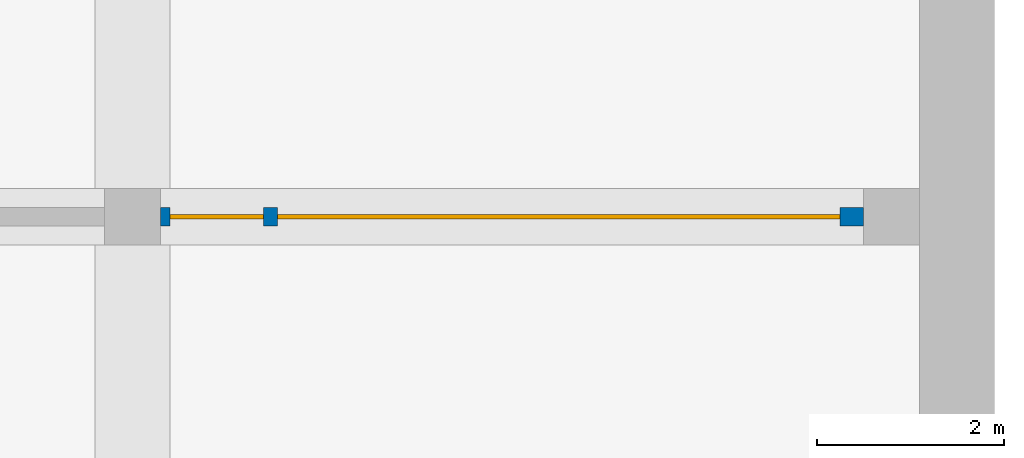
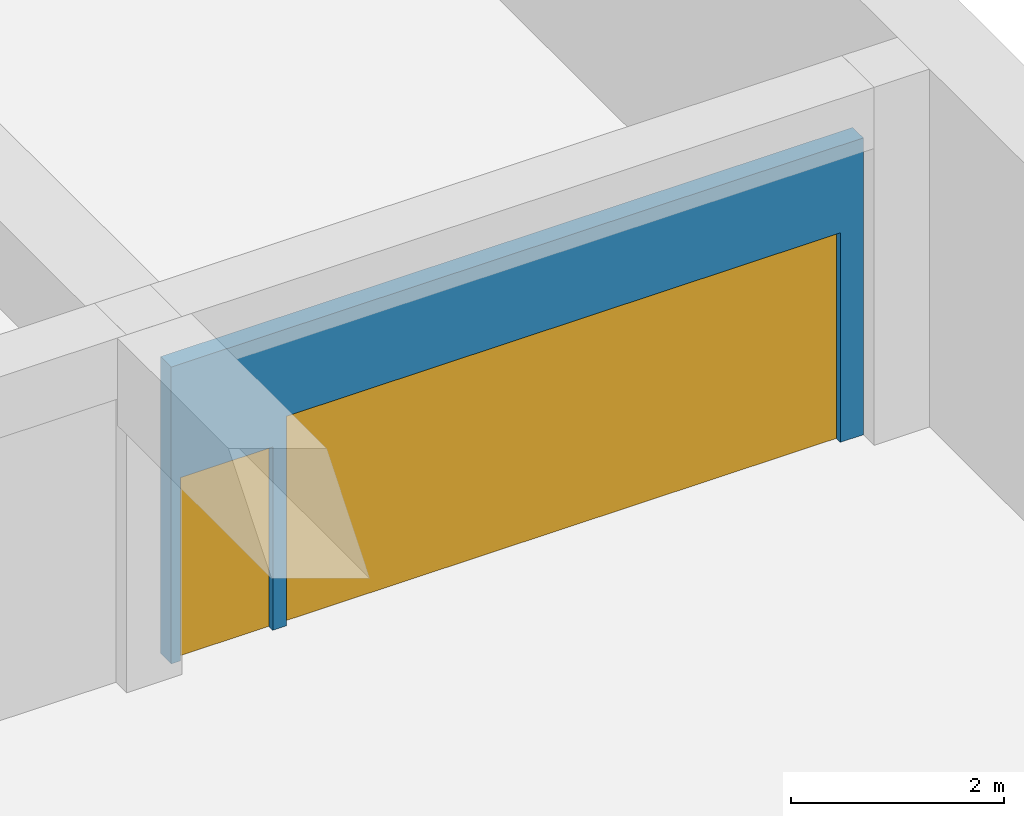
# One storey, part 6 of 21: 2 doors, 1 wall, 2 openings.
"""IFC4 building model written with IfcOpenShell, lengths in metres."""

from ifc_helpers import new_model, si_unit, direction, frame, frame_2d, origin, place, context, subcontext, project, spatial, rectangle, extrude, material, layer, layer_set, type_object, element, fill, save


model = new_model("IFC4")

# Units and contexts
model_context = context("Model", 3, precision=1e-05, world=origin(), true_north=direction((0.0, 1.0)))
body_context = subcontext(model_context, "Body", "Model", "MODEL_VIEW")
ifc_project = project(units=[si_unit("LENGTHUNIT", "METRE"), si_unit("AREAUNIT", "SQUARE_METRE"), si_unit("VOLUMEUNIT", "CUBIC_METRE"), si_unit("PLANEANGLEUNIT", "RADIAN"), si_unit("MASSUNIT", "GRAM", prefix="KILO")], contexts=[model_context])

# Site, building, storey
site_placement = place(None, origin())
site = spatial("IfcSite", under=ifc_project, at=site_placement, CompositionType="ELEMENT")
building_placement = place(site_placement, origin())
building = spatial("IfcBuilding", under=site, at=building_placement, Name="Stone Belt Terrace Tower", CompositionType="ELEMENT")
storey_placement = place(building_placement, frame((0.0, 0.0, -9.0)))
storey = spatial("IfcBuildingStorey", under=building, at=storey_placement, Name="B2", CompositionType="ELEMENT", Elevation=-9.0)

# Wall, openings, doors
ifc_material_1 = material(Name="Concrete B30", Category="concrete")
ifc_layer = layer(ifc_material_1, 0.199951171875)
ifc_layer_set = layer_set([ifc_layer], Name="Compartment wall 200")
wall_type = type_object("IfcWallType", Name="Compartment wall 200", PredefinedType="SOLIDWALL", material=ifc_layer_set)
wall_placement = place(storey_placement, frame((24.60009765625, -18.0, 0.0), z_axis=(0.0, 0.0, 1.0), x_axis=(1.0, 0.0, 0.0)))
wall = element("IfcWall", 1, at=wall_placement, inside=storey, type_object=wall_type, Name="Compartment wall B2 8", PredefinedType="SOLIDWALL", context=body_context, shape_type="SweptSolid", body=[
    extrude(rectangle(XDim=7.5, YDim=0.199951171875, at=frame_2d((3.75, 0.0))), origin(), (0.0, 0.0, 1.0), 3.39990234375),
])
opening_1_placement = place(wall_placement, frame((1.25, 0.0, 0.0)))
opening_1 = element("IfcOpeningElement", 2, at=opening_1_placement, cuts=wall, Name="Opening B2-S03", PredefinedType="OPENING", context=body_context, shape_type="SweptSolid", body=[
    extrude(rectangle(XDim=6.0, YDim=2.39990234375, at=frame_2d((3.0, 1.199951171875))), frame((0.0, 0.10986328125, 0.0), z_axis=(0.0, -1.0, 0.0), x_axis=(1.0, 0.0, 0.0)), (0.0, 0.0, 1.0), 0.219970703125),
])
opening_2_placement = place(wall_placement, frame((0.10009765625, 0.0, 0.0)))
opening_2 = element("IfcOpeningElement", 3, at=opening_2_placement, cuts=wall, Name="Opening B2-S04", PredefinedType="OPENING", context=body_context, shape_type="SweptSolid", body=[
    extrude(rectangle(XDim=1.0, YDim=2.10009765625, at=frame_2d((0.5, 1.050048828125))), frame((0.0, 0.10986328125, 0.0), z_axis=(0.0, -1.0, 0.0), x_axis=(1.0, 0.0, 0.0)), (0.0, 0.0, 1.0), 0.219970703125),
])
ifc_material_2 = material(Name="Steel door leaf", Category="steel")
door_type_1 = type_object("IfcDoorType", Name="Compartment fire door 1000", OperationType="NOTDEFINED", PredefinedType="DOOR", material=ifc_material_2)
door_1_placement = place(opening_2_placement, origin())
door_1 = element("IfcDoor", 4, at=door_1_placement, inside=storey, type_object=door_type_1, Name="Compartment fire door B2 east", OperationType="SINGLE_SWING_RIGHT", OverallHeight=2.10009765625, OverallWidth=1.0, PredefinedType="DOOR", context=body_context, shape_type="SweptSolid", body=[
    extrude(rectangle(XDim=1.0, YDim=2.10009765625, at=frame_2d((0.5, 1.050048828125))), frame((0.0, 0.02490234375, 0.0), z_axis=(0.0, -1.0, 0.0), x_axis=(1.0, 0.0, 0.0)), (0.0, 0.0, 1.0), 0.050048828125),
])
fill(opening_2, door_1)
ifc_material_3 = material(Name="Steel fire shutter", Category="steel")
door_type_2 = type_object("IfcDoorType", Name="Compartment shutter 6000", OperationType="ROLLINGUP", PredefinedType="DOOR", material=ifc_material_3)
door_2_placement = place(opening_1_placement, origin())
door_2 = element("IfcDoor", 5, at=door_2_placement, inside=storey, type_object=door_type_2, Name="Compartment shutter B2 east", OperationType="ROLLINGUP", OverallHeight=2.39990234375, OverallWidth=6.0, PredefinedType="DOOR", context=body_context, shape_type="SweptSolid", body=[
    extrude(rectangle(XDim=6.0, YDim=2.39990234375, at=frame_2d((3.0, 1.199951171875))), frame((0.0, 0.02490234375, 0.0), z_axis=(0.0, -1.0, 0.0), x_axis=(1.0, 0.0, 0.0)), (0.0, 0.0, 1.0), 0.050048828125),
])
fill(opening_1, door_2)

save(model, "model.ifc")
